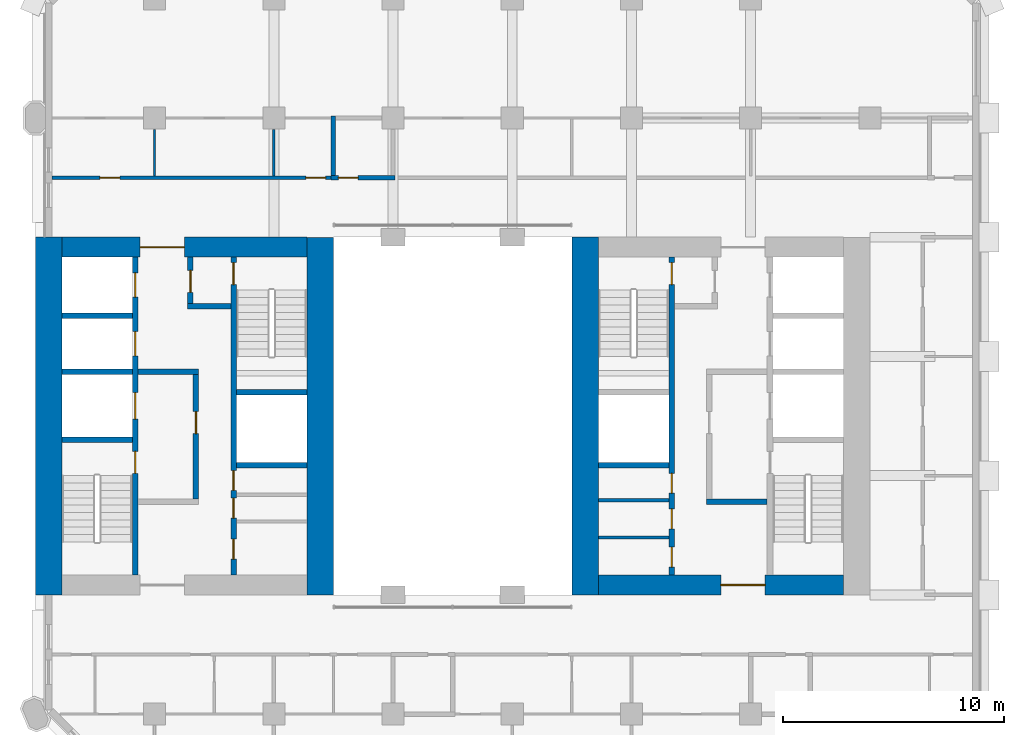
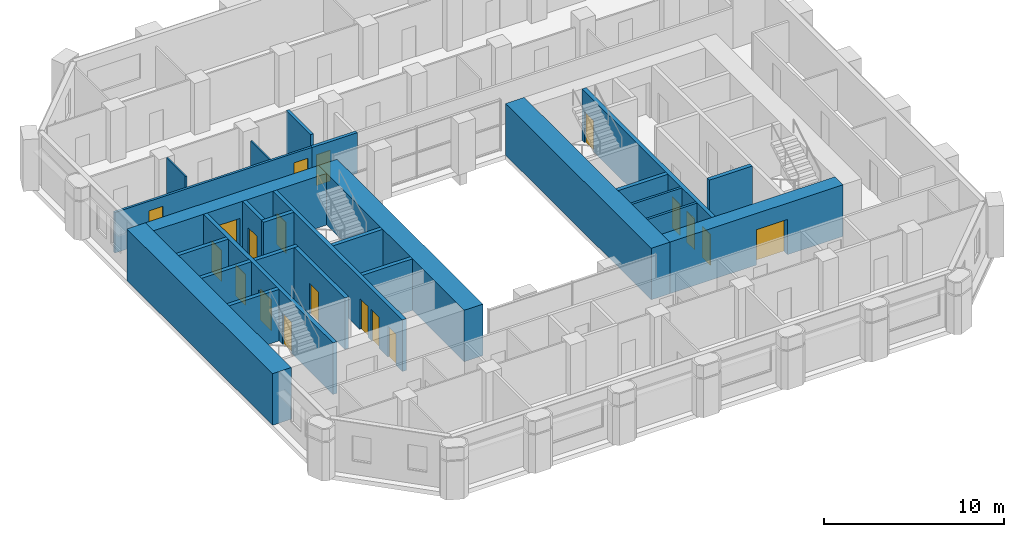
# One storey, part 5 of 10: 26 walls, 19 doors, 19 openings.
"""IFC4 building model written with IfcOpenShell, lengths in metres."""

from ifc_helpers import new_model, si_unit, direction, frame, frame_2d, origin, place, context, subcontext, project, spatial, rectangle, extrude, material, layer, layer_set, type_object, element, fill, save


model = new_model("IFC4")

# Units and contexts
model_context = context("Model", 3, precision=1e-05, world=origin(), true_north=direction((0.0, 1.0)))
body_context = subcontext(model_context, "Body", "Model", "MODEL_VIEW")
ifc_project = project(units=[si_unit("LENGTHUNIT", "METRE"), si_unit("AREAUNIT", "SQUARE_METRE"), si_unit("VOLUMEUNIT", "CUBIC_METRE"), si_unit("PLANEANGLEUNIT", "RADIAN"), si_unit("MASSUNIT", "GRAM", prefix="KILO")], contexts=[model_context])

# Site, building, storey
site_placement = place(None, origin())
site = spatial("IfcSite", under=ifc_project, at=site_placement, CompositionType="ELEMENT")
building_placement = place(site_placement, origin())
building = spatial("IfcBuilding", under=site, at=building_placement, Name="Tabaq Tower and Sports Hall", CompositionType="ELEMENT")
storey_placement = place(building_placement, frame((0.0, 0.0, 68.800048828125)))
storey = spatial("IfcBuildingStorey", under=building, at=storey_placement, Name="L15", CompositionType="ELEMENT", Elevation=68.800048828125)

# Walls
ifc_material_1 = material(Name="Blockwork", Category="masonry")
ifc_layer_1 = layer(ifc_material_1, 0.14990234375)
ifc_layer_set_1 = layer_set([ifc_layer_1], Name="Core room partition 150 Blockwork")
wall_type_1 = type_object("IfcWallType", Name="Core room partition 150 Blockwork", PredefinedType="PARTITIONING", material=ifc_layer_set_1)
for number, where, z_axis, x_axis, name in (
    (1, (30.89990234375, 18.797119140625, 0.0), (0.0, 0.0, 1.0), (1.0, 0.0, 0.0), "Core room partition E L15"),
    (2, (30.89990234375, 20.493896484375, 0.0), (0.0, 0.0, 1.0), (1.0, 0.0, 0.0), "Core room partition E L15"),
):
    element("IfcWall", number, at=place(storey_placement, frame(where, z_axis=z_axis, x_axis=x_axis)), inside=storey, type_object=wall_type_1, Name=name, PredefinedType="PARTITIONING", context=body_context, shape_type="SweptSolid", body=[
        extrude(rectangle(XDim=3.2001953125, YDim=0.14990234375, at=frame_2d((1.60009765625, 0.0))), origin(), (0.0, 0.0, 1.0), 3.5),
    ])
ifc_material_2 = material(Name="Concrete C60/75", Category="concrete")
ifc_layer_2 = layer(ifc_material_2, 1.199951171875)
ifc_layer_set_2 = layer_set([ifc_layer_2], Name="Core wall 1200 Concrete C60/75")
wall_type_2 = type_object("IfcWallType", Name="Core wall 1200 Concrete C60/75", PredefinedType="SOLIDWALL", material=ifc_layer_set_2)
for number, where, z_axis, x_axis, name in (
    (3, (6.0, 16.199951171875, 0.0), (0.0, 0.0, 1.0), (0.0, 1.0, 0.0), "Core wall W L15"),
    (4, (18.300048828125, 32.39990234375, 0.0), (0.0, 0.0, 1.0), (0.0, -1.0, 0.0), "Core wall W L15"),
    (5, (30.300048828125, 16.199951171875, 0.0), (0.0, 0.0, 1.0), (0.0, 1.0, 0.0), "Core wall E L15"),
):
    element("IfcWall", number, at=place(storey_placement, frame(where, z_axis=z_axis, x_axis=x_axis)), inside=storey, type_object=wall_type_2, Name=name, PredefinedType="SOLIDWALL", context=body_context, shape_type="SweptSolid", body=[
        extrude(rectangle(XDim=16.199951171875, YDim=1.199951171875, at=frame_2d((8.10009765625, 0.0))), origin(), (0.0, 0.0, 1.0), 3.5),
    ])

# Wall, opening, door
ifc_material_3 = material(Name="Concrete C60/75", Category="concrete")
ifc_layer_3 = layer(ifc_material_3, 0.89990234375)
ifc_layer_set_3 = layer_set([ifc_layer_3], Name="Core wall 900 Concrete C60/75")
wall_type_3 = type_object("IfcWallType", Name="Core wall 900 Concrete C60/75", PredefinedType="SOLIDWALL", material=ifc_layer_set_3)
wall_1_placement = place(storey_placement, frame((6.60009765625, 31.949951171875, 0.0), z_axis=(0.0, 0.0, 1.0), x_axis=(1.0, 0.0, 0.0)))
wall_1 = element("IfcWall", 6, at=wall_1_placement, inside=storey, type_object=wall_type_3, Name="Core wall W L15", PredefinedType="SOLIDWALL", context=body_context, shape_type="SweptSolid", body=[
    extrude(rectangle(XDim=11.099853515625, YDim=0.89990234375, at=frame_2d((5.5498046875, 0.0))), origin(), (0.0, 0.0, 1.0), 3.5),
])
opening_1_placement = place(wall_1_placement, frame((3.550048828125, 0.0, 0.0)))
opening_1 = element("IfcOpeningElement", 7, at=opening_1_placement, cuts=wall_1, Name="Opening PD-WL15-02", PredefinedType="OPENING", context=body_context, shape_type="SweptSolid", body=[
    extrude(rectangle(XDim=2.0, YDim=2.39990234375, at=frame_2d((1.0, 1.199951171875))), frame((0.0, 0.449951171875, 0.0), z_axis=(0.0, -1.0, 0.0), x_axis=(1.0, 0.0, 0.0)), (0.0, 0.0, 1.0), 0.89990234375),
])
ifc_material_4 = material(Name="Steel fire door", Category="steel")
door_type_1 = type_object("IfcDoorType", Name="Core entrance door 2000", OperationType="DOUBLE_DOOR_SINGLE_SWING", PredefinedType="DOOR", material=ifc_material_4)
door_1_placement = place(opening_1_placement, origin())
door_1 = element("IfcDoor", 8, at=door_1_placement, inside=storey, type_object=door_type_1, Name="Core entrance north W L15", OperationType="DOUBLE_DOOR_SINGLE_SWING", OverallHeight=2.39990234375, OverallWidth=2.0, PredefinedType="DOOR", context=body_context, shape_type="SweptSolid", body=[
    extrude(rectangle(XDim=2.0, YDim=2.39990234375, at=frame_2d((1.0, 1.199951171875))), frame((0.0, 0.02490234375, 0.0), z_axis=(0.0, -1.0, 0.0), x_axis=(1.0, 0.0, 0.0)), (0.0, 0.0, 1.0), 0.050048828125),
])
fill(opening_1, door_1)

wall_2_placement = place(storey_placement, frame((42.0, 16.64990234375, 0.0), z_axis=(0.0, 0.0, 1.0), x_axis=(-1.0, 0.0, 0.0)))
wall_2 = element("IfcWall", 9, at=wall_2_placement, inside=storey, type_object=wall_type_3, Name="Core wall E L15", PredefinedType="SOLIDWALL", context=body_context, shape_type="SweptSolid", body=[
    extrude(rectangle(XDim=11.10009765625, YDim=0.89990234375, at=frame_2d((5.550048828125, 0.0))), origin(), (0.0, 0.0, 1.0), 3.5),
])
opening_2_placement = place(wall_2_placement, frame((3.550048828125, 0.0, 0.0)))
opening_2 = element("IfcOpeningElement", 10, at=opening_2_placement, cuts=wall_2, Name="Opening PD-EL15-01", PredefinedType="OPENING", context=body_context, shape_type="SweptSolid", body=[
    extrude(rectangle(XDim=2.0, YDim=2.39990234375, at=frame_2d((1.0, 1.199951171875))), frame((0.0, 0.449951171875, 0.0), z_axis=(0.0, -1.0, 0.0), x_axis=(1.0, 0.0, 0.0)), (0.0, 0.0, 1.0), 0.89990234375),
])
door_2_placement = place(opening_2_placement, origin())
door_2 = element("IfcDoor", 11, at=door_2_placement, inside=storey, type_object=door_type_1, Name="Core entrance south E L15", OperationType="DOUBLE_DOOR_SINGLE_SWING", OverallHeight=2.39990234375, OverallWidth=2.0, PredefinedType="DOOR", context=body_context, shape_type="SweptSolid", body=[
    extrude(rectangle(XDim=2.0, YDim=2.39990234375, at=frame_2d((1.0, 1.199951171875))), frame((0.0, 0.02490234375, 0.0), z_axis=(0.0, -1.0, 0.0), x_axis=(1.0, 0.0, 0.0)), (0.0, 0.0, 1.0), 0.050048828125),
])
fill(opening_2, door_2)

ifc_material_5 = material(Name="Blockwork", Category="masonry")
ifc_layer_4 = layer(ifc_material_5, 0.199951171875)
ifc_layer_set_4 = layer_set([ifc_layer_4], Name="Fire compartment wall 200 Blockwork")
wall_type_4 = type_object("IfcWallType", Name="Fire compartment wall 200 Blockwork", PredefinedType="PARTITIONING", material=ifc_layer_set_4)
wall_3_placement = place(storey_placement, frame((18.800048828125, 35.10009765625, 0.0), z_axis=(0.0, 0.0, 1.0), x_axis=(1.0, 0.0, 0.0)))
wall_3 = element("IfcWall", 12, at=wall_3_placement, inside=storey, type_object=wall_type_4, Name="Compartment wall L15", PredefinedType="PARTITIONING", context=body_context, shape_type="SweptSolid", body=[
    extrude(rectangle(XDim=2.89990234375, YDim=0.199951171875, at=frame_2d((1.449951171875, 0.0))), origin(), (0.0, 0.0, 1.0), 2.75),
])
opening_3_placement = place(wall_3_placement, frame((0.320068359375, 0.0, 0.0)))
opening_3 = element("IfcOpeningElement", 13, at=opening_3_placement, cuts=wall_3, Name="Opening L15-002", PredefinedType="OPENING", context=body_context, shape_type="SweptSolid", body=[
    extrude(rectangle(XDim=0.89990234375, YDim=2.10009765625, at=frame_2d((0.449951171875, 1.050048828125))), frame((0.0, 0.10009765625, 0.0), z_axis=(0.0, -1.0, 0.0), x_axis=(1.0, 0.0, 0.0)), (0.0, 0.0, 1.0), 0.199951171875),
])
ifc_material_6 = material(Name="Steel fire door", Category="steel")
door_type_2 = type_object("IfcDoorType", Name="Plant room door 900 left hand", OperationType="SINGLE_SWING_LEFT", PredefinedType="DOOR", material=ifc_material_6)
door_3_placement = place(opening_3_placement, origin())
door_3 = element("IfcDoor", 14, at=door_3_placement, inside=storey, type_object=door_type_2, Name="Plant room door L15-002", OperationType="SINGLE_SWING_LEFT", OverallHeight=2.10009765625, OverallWidth=0.89990234375, PredefinedType="DOOR", context=body_context, shape_type="SweptSolid", body=[
    extrude(rectangle(XDim=0.89990234375, YDim=2.10009765625, at=frame_2d((0.449951171875, 1.050048828125))), frame((0.0, 0.02490234375, 0.0), z_axis=(0.0, -1.0, 0.0), x_axis=(1.0, 0.0, 0.0)), (0.0, 0.0, 1.0), 0.050048828125),
])
fill(opening_3, door_3)

# Walls
wall_4_placement = place(storey_placement, frame((18.89990234375, 35.199951171875, 0.0), z_axis=(0.0, 0.0, 1.0), x_axis=(0.0, 1.0, 0.0)))
element("IfcWall", 15, at=wall_4_placement, inside=storey, type_object=wall_type_4, Name="Compartment wall L15", PredefinedType="PARTITIONING", context=body_context, shape_type="SweptSolid", body=[
    extrude(rectangle(XDim=2.699951171875, YDim=0.199951171875, at=frame_2d((1.35009765625, 0.0))), origin(), (0.0, 0.0, 1.0), 3.5),
])
ifc_material_7 = material(Name="Gypsum board on steel studs", Category="steel")
ifc_layer_5 = layer(ifc_material_7, 0.10009765625)
ifc_layer_set_5 = layer_set([ifc_layer_5], Name="Partition 100 Gypsum board")
wall_type_5 = type_object("IfcWallType", Name="Partition 100 Gypsum board", PredefinedType="PARTITIONING", material=ifc_layer_set_5)
wall_5_placement = place(storey_placement, frame((10.800048828125, 35.175048828125, 0.0), z_axis=(0.0, 0.0, 1.0), x_axis=(0.0, 1.0, 0.0)))
element("IfcWall", 16, at=wall_5_placement, inside=storey, type_object=wall_type_5, Name="Partition wall L15", PredefinedType="PARTITIONING", context=body_context, shape_type="SweptSolid", body=[
    extrude(rectangle(XDim=2.10498046875, YDim=0.10009765625, at=frame_2d((1.052490234375, 0.0))), origin(), (0.0, 0.0, 1.0), 3.5),
])
wall_6_placement = place(storey_placement, frame((16.199951171875, 35.175048828125, 0.0), z_axis=(0.0, 0.0, 1.0), x_axis=(0.0, 1.0, 0.0)))
element("IfcWall", 17, at=wall_6_placement, inside=storey, type_object=wall_type_5, Name="Partition wall L15", PredefinedType="PARTITIONING", context=body_context, shape_type="SweptSolid", body=[
    extrude(rectangle(XDim=2.10498046875, YDim=0.10009765625, at=frame_2d((1.052490234375, 0.0))), origin(), (0.0, 0.0, 1.0), 2.75),
])

# Wall, openings, doors
ifc_material_8 = material(Name="Blockwork", Category="masonry")
ifc_layer_6 = layer(ifc_material_8, 0.14990234375)
ifc_layer_set_6 = layer_set([ifc_layer_6], Name="Separating wall 150 Blockwork")
wall_type_6 = type_object("IfcWallType", Name="Separating wall 150 Blockwork", PredefinedType="PARTITIONING", material=ifc_layer_set_6)
wall_7_placement = place(storey_placement, frame((6.15087890625, 35.10009765625, 0.0), z_axis=(0.0, 0.0, 1.0), x_axis=(1.0, 0.0, 0.0)))
wall_7 = element("IfcWall", 18, at=wall_7_placement, inside=storey, type_object=wall_type_6, Name="Separating wall L15", PredefinedType="PARTITIONING", context=body_context, shape_type="SweptSolid", body=[
    extrude(rectangle(XDim=12.649169921875, YDim=0.14990234375, at=frame_2d((6.32470703125, 0.0))), origin(), (0.0, 0.0, 1.0), 2.75),
])
opening_4_placement = place(wall_7_placement, frame((11.4990234375, 0.0, 0.0)))
opening_4 = element("IfcOpeningElement", 19, at=opening_4_placement, cuts=wall_7, Name="Opening L15-001", PredefinedType="OPENING", context=body_context, shape_type="SweptSolid", body=[
    extrude(rectangle(XDim=0.89990234375, YDim=2.10009765625, at=frame_2d((0.449951171875, 1.050048828125))), frame((0.0, 0.074951171875, 0.0), z_axis=(0.0, -1.0, 0.0), x_axis=(1.0, 0.0, 0.0)), (0.0, 0.0, 1.0), 0.14990234375),
])
opening_5_placement = place(wall_7_placement, frame((2.174072265625, 0.0, 0.0)))
opening_5 = element("IfcOpeningElement", 20, at=opening_5_placement, cuts=wall_7, Name="Opening L15-028", PredefinedType="OPENING", context=body_context, shape_type="SweptSolid", body=[
    extrude(rectangle(XDim=0.89990234375, YDim=2.10009765625, at=frame_2d((0.449951171875, 1.050048828125))), frame((0.0, 0.074951171875, 0.0), z_axis=(0.0, -1.0, 0.0), x_axis=(1.0, 0.0, 0.0)), (0.0, 0.0, 1.0), 0.14990234375),
])
ifc_material_9 = material(Name="Steel fire door", Category="steel")
door_type_3 = type_object("IfcDoorType", Name="Entrance door 900 left hand", OperationType="SINGLE_SWING_LEFT", PredefinedType="DOOR", material=ifc_material_9)
door_4_placement = place(opening_4_placement, origin())
door_4 = element("IfcDoor", 21, at=door_4_placement, inside=storey, type_object=door_type_3, Name="Entrance door L15-001", OperationType="SINGLE_SWING_LEFT", OverallHeight=2.10009765625, OverallWidth=0.89990234375, PredefinedType="DOOR", context=body_context, shape_type="SweptSolid", body=[
    extrude(rectangle(XDim=0.89990234375, YDim=2.10009765625, at=frame_2d((0.449951171875, 1.050048828125))), frame((0.0, 0.02490234375, 0.0), z_axis=(0.0, -1.0, 0.0), x_axis=(1.0, 0.0, 0.0)), (0.0, 0.0, 1.0), 0.050048828125),
])
fill(opening_4, door_4)
door_5_placement = place(opening_5_placement, origin())
door_5 = element("IfcDoor", 22, at=door_5_placement, inside=storey, type_object=door_type_3, Name="Entrance door L15-028", OperationType="SINGLE_SWING_LEFT", OverallHeight=2.10009765625, OverallWidth=0.89990234375, PredefinedType="DOOR", context=body_context, shape_type="SweptSolid", body=[
    extrude(rectangle(XDim=0.89990234375, YDim=2.10009765625, at=frame_2d((0.449951171875, 1.050048828125))), frame((0.0, 0.02490234375, 0.0), z_axis=(0.0, -1.0, 0.0), x_axis=(1.0, 0.0, 0.0)), (0.0, 0.0, 1.0), 0.050048828125),
])
fill(opening_5, door_5)

ifc_material_10 = material(Name="Concrete C40/50", Category="concrete")
ifc_layer_7 = layer(ifc_material_10, 0.25)
ifc_layer_set_7 = layer_set([ifc_layer_7], Name="Shaft and stair wall 250 Concrete C40/50")
wall_type_7 = type_object("IfcWallType", Name="Shaft and stair wall 250 Concrete C40/50", PredefinedType="SOLIDWALL", material=ifc_layer_set_7)
wall_8_placement = place(storey_placement, frame((9.925048828125, 17.10009765625, 0.0), z_axis=(0.0, 0.0, 1.0), x_axis=(0.0, 1.0, 0.0)))
wall_8 = element("IfcWall", 23, at=wall_8_placement, inside=storey, type_object=wall_type_7, Name="Shaft wall W L15", PredefinedType="SOLIDWALL", context=body_context, shape_type="SweptSolid", body=[
    extrude(rectangle(XDim=14.39990234375, YDim=0.25, at=frame_2d((7.199951171875, 0.0))), origin(), (0.0, 0.0, 1.0), 3.5),
])
opening_6_placement = place(wall_8_placement, frame((4.60009765625, 0.0, 0.0)))
opening_6 = element("IfcOpeningElement", 24, at=opening_6_placement, cuts=wall_8, Name="Opening SD-WL15-03", PredefinedType="OPENING", context=body_context, shape_type="SweptSolid", body=[
    extrude(rectangle(XDim=1.0, YDim=2.10009765625, at=frame_2d((0.5, 1.050048828125))), frame((0.0, 0.125, 0.0), z_axis=(0.0, -1.0, 0.0), x_axis=(1.0, 0.0, 0.0)), (0.0, 0.0, 1.0), 0.25),
])
opening_7_placement = place(wall_8_placement, frame((7.0625, 0.0, 0.0)))
opening_7 = element("IfcOpeningElement", 25, at=opening_7_placement, cuts=wall_8, Name="Opening LD-FF1-L15", PredefinedType="OPENING", context=body_context, shape_type="SweptSolid", body=[
    extrude(rectangle(XDim=1.199951171875, YDim=2.10009765625, at=frame_2d((0.60009765625, 1.050048828125))), frame((0.0, 0.125, 0.0), z_axis=(0.0, -1.0, 0.0), x_axis=(1.0, 0.0, 0.0)), (0.0, 0.0, 1.0), 0.25),
])
opening_8_placement = place(wall_8_placement, frame((9.925048828125, 0.0, 0.0)))
opening_8 = element("IfcOpeningElement", 26, at=opening_8_placement, cuts=wall_8, Name="Opening LD-LR1-L15", PredefinedType="OPENING", context=body_context, shape_type="SweptSolid", body=[
    extrude(rectangle(XDim=1.10009765625, YDim=2.10009765625, at=frame_2d((0.550048828125, 1.050048828125))), frame((0.0, 0.125, 0.0), z_axis=(0.0, -1.0, 0.0), x_axis=(1.0, 0.0, 0.0)), (0.0, 0.0, 1.0), 0.25),
])
opening_9_placement = place(wall_8_placement, frame((12.58740234375, 0.0, 0.0)))
opening_9 = element("IfcOpeningElement", 27, at=opening_9_placement, cuts=wall_8, Name="Opening LD-LR2-L15", PredefinedType="OPENING", context=body_context, shape_type="SweptSolid", body=[
    extrude(rectangle(XDim=1.10009765625, YDim=2.10009765625, at=frame_2d((0.550048828125, 1.050048828125))), frame((0.0, 0.125, 0.0), z_axis=(0.0, -1.0, 0.0), x_axis=(1.0, 0.0, 0.0)), (0.0, 0.0, 1.0), 0.25),
])
ifc_material_11 = material(Name="Stainless steel", Category="steel")
door_type_4 = type_object("IfcDoorType", Name="Lift landing door 1100", OperationType="DOUBLE_DOOR_SLIDING", PredefinedType="DOOR", material=ifc_material_11)
door_6_placement = place(opening_8_placement, origin())
door_6 = element("IfcDoor", 28, at=door_6_placement, inside=storey, type_object=door_type_4, Name="Lift landing door LR1 W L15", OperationType="DOUBLE_DOOR_SLIDING", OverallHeight=2.10009765625, OverallWidth=1.10009765625, PredefinedType="DOOR", context=body_context, shape_type="SweptSolid", body=[
    extrude(rectangle(XDim=1.10009765625, YDim=2.10009765625, at=frame_2d((0.550048828125, 1.050048828125))), frame((0.0, 0.02490234375, 0.0), z_axis=(0.0, -1.0, 0.0), x_axis=(1.0, 0.0, 0.0)), (0.0, 0.0, 1.0), 0.050048828125),
])
fill(opening_8, door_6)
door_7_placement = place(opening_9_placement, origin())
door_7 = element("IfcDoor", 29, at=door_7_placement, inside=storey, type_object=door_type_4, Name="Lift landing door LR2 W L15", OperationType="DOUBLE_DOOR_SLIDING", OverallHeight=2.10009765625, OverallWidth=1.10009765625, PredefinedType="DOOR", context=body_context, shape_type="SweptSolid", body=[
    extrude(rectangle(XDim=1.10009765625, YDim=2.10009765625, at=frame_2d((0.550048828125, 1.050048828125))), frame((0.0, 0.02490234375, 0.0), z_axis=(0.0, -1.0, 0.0), x_axis=(1.0, 0.0, 0.0)), (0.0, 0.0, 1.0), 0.050048828125),
])
fill(opening_9, door_7)
ifc_material_12 = material(Name="Stainless steel", Category="steel")
door_type_5 = type_object("IfcDoorType", Name="Lift landing door 1200", OperationType="DOUBLE_DOOR_SLIDING", PredefinedType="DOOR", material=ifc_material_12)
door_8_placement = place(opening_7_placement, origin())
door_8 = element("IfcDoor", 30, at=door_8_placement, inside=storey, type_object=door_type_5, Name="Lift landing door FF1 W L15", OperationType="DOUBLE_DOOR_SLIDING", OverallHeight=2.10009765625, OverallWidth=1.199951171875, PredefinedType="DOOR", context=body_context, shape_type="SweptSolid", body=[
    extrude(rectangle(XDim=1.199951171875, YDim=2.10009765625, at=frame_2d((0.60009765625, 1.050048828125))), frame((0.0, 0.02490234375, 0.0), z_axis=(0.0, -1.0, 0.0), x_axis=(1.0, 0.0, 0.0)), (0.0, 0.0, 1.0), 0.050048828125),
])
fill(opening_7, door_8)
ifc_material_13 = material(Name="Steel fire door", Category="steel")
door_type_6 = type_object("IfcDoorType", Name="Stair door 1000", OperationType="SINGLE_SWING_LEFT", PredefinedType="DOOR", material=ifc_material_13)
door_9_placement = place(opening_6_placement, origin())
door_9 = element("IfcDoor", 31, at=door_9_placement, inside=storey, type_object=door_type_6, Name="Stair door ST1 W L15", OperationType="SINGLE_SWING_LEFT", OverallHeight=2.10009765625, OverallWidth=1.0, PredefinedType="DOOR", context=body_context, shape_type="SweptSolid", body=[
    extrude(rectangle(XDim=1.0, YDim=2.10009765625, at=frame_2d((0.5, 1.050048828125))), frame((0.0, 0.02490234375, 0.0), z_axis=(0.0, -1.0, 0.0), x_axis=(1.0, 0.0, 0.0)), (0.0, 0.0, 1.0), 0.050048828125),
])
fill(opening_6, door_9)

wall_9_placement = place(storey_placement, frame((14.375, 17.10009765625, 0.0), z_axis=(0.0, 0.0, 1.0), x_axis=(0.0, 1.0, 0.0)))
wall_9 = element("IfcWall", 32, at=wall_9_placement, inside=storey, type_object=wall_type_7, Name="Shaft wall W L15", PredefinedType="SOLIDWALL", context=body_context, shape_type="SweptSolid", body=[
    extrude(rectangle(XDim=14.39990234375, YDim=0.25, at=frame_2d((7.199951171875, 0.0))), origin(), (0.0, 0.0, 1.0), 3.5),
])
opening_10_placement = place(wall_9_placement, frame((13.14990234375, 0.0, 0.0)))
opening_10 = element("IfcOpeningElement", 33, at=opening_10_placement, cuts=wall_9, Name="Opening SD-WL15-05", PredefinedType="OPENING", context=body_context, shape_type="SweptSolid", body=[
    extrude(rectangle(XDim=1.0, YDim=2.10009765625, at=frame_2d((0.5, 1.050048828125))), frame((0.0, 0.125, 0.0), z_axis=(0.0, -1.0, 0.0), x_axis=(1.0, 0.0, 0.0)), (0.0, 0.0, 1.0), 0.25),
])
opening_11_placement = place(wall_9_placement, frame((0.72509765625, 0.0, 0.0)))
opening_11 = element("IfcOpeningElement", 34, at=opening_11_placement, cuts=wall_9, Name="Opening RD-WL15-10", PredefinedType="OPENING", context=body_context, shape_type="SweptSolid", body=[
    extrude(rectangle(XDim=0.89990234375, YDim=2.10009765625, at=frame_2d((0.449951171875, 1.050048828125))), frame((0.0, 0.125, 0.0), z_axis=(0.0, -1.0, 0.0), x_axis=(1.0, 0.0, 0.0)), (0.0, 0.0, 1.0), 0.25),
])
opening_12_placement = place(wall_9_placement, frame((2.5810546875, 0.0, 0.0)))
opening_12 = element("IfcOpeningElement", 35, at=opening_12_placement, cuts=wall_9, Name="Opening RD-WL15-11", PredefinedType="OPENING", context=body_context, shape_type="SweptSolid", body=[
    extrude(rectangle(XDim=0.89990234375, YDim=2.10009765625, at=frame_2d((0.449951171875, 1.050048828125))), frame((0.0, 0.125, 0.0), z_axis=(0.0, -1.0, 0.0), x_axis=(1.0, 0.0, 0.0)), (0.0, 0.0, 1.0), 0.25),
])
opening_13_placement = place(wall_9_placement, frame((3.8310546875, 0.0, 0.0)))
opening_13 = element("IfcOpeningElement", 36, at=opening_13_placement, cuts=wall_9, Name="Opening RD-WL15-12", PredefinedType="OPENING", context=body_context, shape_type="SweptSolid", body=[
    extrude(rectangle(XDim=0.89990234375, YDim=2.10009765625, at=frame_2d((0.449951171875, 1.050048828125))), frame((0.0, 0.125, 0.0), z_axis=(0.0, -1.0, 0.0), x_axis=(1.0, 0.0, 0.0)), (0.0, 0.0, 1.0), 0.25),
])
ifc_material_14 = material(Name="Steel fire door", Category="steel")
door_type_7 = type_object("IfcDoorType", Name="Core room door 900", OperationType="SINGLE_SWING_LEFT", PredefinedType="DOOR", material=ifc_material_14)
door_10_placement = place(opening_11_placement, origin())
door_10 = element("IfcDoor", 37, at=door_10_placement, inside=storey, type_object=door_type_7, Name="Door Unisex WC W L15", OperationType="SINGLE_SWING_LEFT", OverallHeight=2.10009765625, OverallWidth=0.89990234375, PredefinedType="DOOR", context=body_context, shape_type="SweptSolid", body=[
    extrude(rectangle(XDim=0.89990234375, YDim=2.10009765625, at=frame_2d((0.449951171875, 1.050048828125))), frame((0.0, 0.02490234375, 0.0), z_axis=(0.0, -1.0, 0.0), x_axis=(1.0, 0.0, 0.0)), (0.0, 0.0, 1.0), 0.050048828125),
])
fill(opening_11, door_10)
door_11_placement = place(opening_12_placement, origin())
door_11 = element("IfcDoor", 38, at=door_11_placement, inside=storey, type_object=door_type_7, Name="Door Cleaner's Store W L15", OperationType="SINGLE_SWING_LEFT", OverallHeight=2.10009765625, OverallWidth=0.89990234375, PredefinedType="DOOR", context=body_context, shape_type="SweptSolid", body=[
    extrude(rectangle(XDim=0.89990234375, YDim=2.10009765625, at=frame_2d((0.449951171875, 1.050048828125))), frame((0.0, 0.02490234375, 0.0), z_axis=(0.0, -1.0, 0.0), x_axis=(1.0, 0.0, 0.0)), (0.0, 0.0, 1.0), 0.050048828125),
])
fill(opening_12, door_11)
door_12_placement = place(opening_13_placement, origin())
door_12 = element("IfcDoor", 39, at=door_12_placement, inside=storey, type_object=door_type_7, Name="Door Accessible WC W L15", OperationType="SINGLE_SWING_LEFT", OverallHeight=2.10009765625, OverallWidth=0.89990234375, PredefinedType="DOOR", context=body_context, shape_type="SweptSolid", body=[
    extrude(rectangle(XDim=0.89990234375, YDim=2.10009765625, at=frame_2d((0.449951171875, 1.050048828125))), frame((0.0, 0.02490234375, 0.0), z_axis=(0.0, -1.0, 0.0), x_axis=(1.0, 0.0, 0.0)), (0.0, 0.0, 1.0), 0.050048828125),
])
fill(opening_13, door_12)
door_13_placement = place(opening_10_placement, origin())
door_13 = element("IfcDoor", 40, at=door_13_placement, inside=storey, type_object=door_type_6, Name="Stair door ST2 W L15", OperationType="SINGLE_SWING_LEFT", OverallHeight=2.10009765625, OverallWidth=1.0, PredefinedType="DOOR", context=body_context, shape_type="SweptSolid", body=[
    extrude(rectangle(XDim=1.0, YDim=2.10009765625, at=frame_2d((0.5, 1.050048828125))), frame((0.0, 0.02490234375, 0.0), z_axis=(0.0, -1.0, 0.0), x_axis=(1.0, 0.0, 0.0)), (0.0, 0.0, 1.0), 0.050048828125),
])
fill(opening_10, door_13)

# Walls
for number, where, z_axis, x_axis, name in (
    (41, (6.60009765625, 23.22509765625, 0.0), (0.0, 0.0, 1.0), (1.0, 0.0, 0.0), "Stair enclosure wall W L15"),
    (42, (14.5, 25.375, 0.0), (0.0, 0.0, 1.0), (1.0, 0.0, 0.0), "Stair enclosure wall W L15"),
    (43, (14.5, 22.074951171875, 0.0), (0.0, 0.0, 1.0), (1.0, 0.0, 0.0), "Shaft wall W L15"),
    (44, (6.60009765625, 26.300048828125, 0.0), (0.0, 0.0, 1.0), (1.0, 0.0, 0.0), "Shaft wall W L15"),
):
    element("IfcWall", number, at=place(storey_placement, frame(where, z_axis=z_axis, x_axis=x_axis)), inside=storey, type_object=wall_type_7, Name=name, PredefinedType="SOLIDWALL", context=body_context, shape_type="SweptSolid", body=[
        extrude(rectangle(XDim=3.199951171875, YDim=0.25, at=frame_2d((1.60009765625, 0.0))), origin(), (0.0, 0.0, 1.0), 3.5),
    ])
wall_10_placement = place(storey_placement, frame((10.050048828125, 26.300048828125, 0.0), z_axis=(0.0, 0.0, 1.0), x_axis=(1.0, 0.0, 0.0)))
element("IfcWall", 45, at=wall_10_placement, inside=storey, type_object=wall_type_7, Name="Fire-fighting lobby wall W L15", PredefinedType="SOLIDWALL", context=body_context, shape_type="SweptSolid", body=[
    extrude(rectangle(XDim=2.75, YDim=0.25, at=frame_2d((1.375, 0.0))), origin(), (0.0, 0.0, 1.0), 3.5),
])

# Wall, opening, door
wall_11_placement = place(storey_placement, frame((12.425048828125, 29.39990234375, 0.0), z_axis=(0.0, 0.0, 1.0), x_axis=(0.0, 1.0, 0.0)))
wall_11 = element("IfcWall", 46, at=wall_11_placement, inside=storey, type_object=wall_type_7, Name="Fire-fighting lobby wall W L15", PredefinedType="SOLIDWALL", context=body_context, shape_type="SweptSolid", body=[
    extrude(rectangle(XDim=2.10009765625, YDim=0.25, at=frame_2d((1.050048828125, 0.0))), origin(), (0.0, 0.0, 1.0), 3.5),
])
opening_14_placement = place(wall_11_placement, frame((0.5, 0.0, 0.0)))
opening_14 = element("IfcOpeningElement", 47, at=opening_14_placement, cuts=wall_11, Name="Opening FD-WL15-06", PredefinedType="OPENING", context=body_context, shape_type="SweptSolid", body=[
    extrude(rectangle(XDim=1.0, YDim=2.10009765625, at=frame_2d((0.5, 1.050048828125))), frame((0.0, 0.125, 0.0), z_axis=(0.0, -1.0, 0.0), x_axis=(1.0, 0.0, 0.0)), (0.0, 0.0, 1.0), 0.25),
])
ifc_material_15 = material(Name="Steel fire door", Category="steel")
door_type_8 = type_object("IfcDoorType", Name="Fire-fighting lobby door 1000", OperationType="SINGLE_SWING_LEFT", PredefinedType="DOOR", material=ifc_material_15)
door_14_placement = place(opening_14_placement, origin())
door_14 = element("IfcDoor", 48, at=door_14_placement, inside=storey, type_object=door_type_8, Name="Stair lobby door W L15", OperationType="SINGLE_SWING_LEFT", OverallHeight=2.10009765625, OverallWidth=1.0, PredefinedType="DOOR", context=body_context, shape_type="SweptSolid", body=[
    extrude(rectangle(XDim=1.0, YDim=2.10009765625, at=frame_2d((0.5, 1.050048828125))), frame((0.0, 0.02490234375, 0.0), z_axis=(0.0, -1.0, 0.0), x_axis=(1.0, 0.0, 0.0)), (0.0, 0.0, 1.0), 0.050048828125),
])
fill(opening_14, door_14)

# Wall
wall_12_placement = place(storey_placement, frame((12.300048828125, 29.27490234375, 0.0), z_axis=(0.0, 0.0, 1.0), x_axis=(1.0, 0.0, 0.0)))
element("IfcWall", 49, at=wall_12_placement, inside=storey, type_object=wall_type_7, Name="Fire-fighting lobby wall W L15", PredefinedType="SOLIDWALL", context=body_context, shape_type="SweptSolid", body=[
    extrude(rectangle(XDim=1.949951171875, YDim=0.25, at=frame_2d((0.97509765625, 0.0))), origin(), (0.0, 0.0, 1.0), 3.5),
])

# Wall, opening, door
wall_13_placement = place(storey_placement, frame((12.675048828125, 20.550048828125, 0.0), z_axis=(0.0, 0.0, 1.0), x_axis=(0.0, 1.0, 0.0)))
wall_13 = element("IfcWall", 50, at=wall_13_placement, inside=storey, type_object=wall_type_7, Name="Fire-fighting lobby wall W L15", PredefinedType="SOLIDWALL", context=body_context, shape_type="SweptSolid", body=[
    extrude(rectangle(XDim=5.625, YDim=0.25, at=frame_2d((2.8125, 0.0))), origin(), (0.0, 0.0, 1.0), 3.5),
])
opening_15_placement = place(wall_13_placement, frame((2.949951171875, 0.0, 0.0)))
opening_15 = element("IfcOpeningElement", 51, at=opening_15_placement, cuts=wall_13, Name="Opening FD-WL15-04", PredefinedType="OPENING", context=body_context, shape_type="SweptSolid", body=[
    extrude(rectangle(XDim=1.0, YDim=2.10009765625, at=frame_2d((0.5, 1.050048828125))), frame((0.0, 0.125, 0.0), z_axis=(0.0, -1.0, 0.0), x_axis=(1.0, 0.0, 0.0)), (0.0, 0.0, 1.0), 0.25),
])
door_15_placement = place(opening_15_placement, origin())
door_15 = element("IfcDoor", 52, at=door_15_placement, inside=storey, type_object=door_type_8, Name="Fire-fighting lobby door W L15", OperationType="SINGLE_SWING_LEFT", OverallHeight=2.10009765625, OverallWidth=1.0, PredefinedType="DOOR", context=body_context, shape_type="SweptSolid", body=[
    extrude(rectangle(XDim=1.0, YDim=2.10009765625, at=frame_2d((0.5, 1.050048828125))), frame((0.0, 0.02490234375, 0.0), z_axis=(0.0, -1.0, 0.0), x_axis=(1.0, 0.0, 0.0)), (0.0, 0.0, 1.0), 0.050048828125),
])
fill(opening_15, door_15)

# Wall
wall_14_placement = place(storey_placement, frame((6.60009765625, 28.85009765625, 0.0), z_axis=(0.0, 0.0, 1.0), x_axis=(1.0, 0.0, 0.0)))
element("IfcWall", 53, at=wall_14_placement, inside=storey, type_object=wall_type_7, Name="Shaft wall W L15", PredefinedType="SOLIDWALL", context=body_context, shape_type="SweptSolid", body=[
    extrude(rectangle(XDim=3.199951171875, YDim=0.25, at=frame_2d((1.60009765625, 0.0))), origin(), (0.0, 0.0, 1.0), 3.5),
])

# Wall, openings, doors
wall_15_placement = place(storey_placement, frame((34.22509765625, 17.10009765625, 0.0), z_axis=(0.0, 0.0, 1.0), x_axis=(0.0, 1.0, 0.0)))
wall_15 = element("IfcWall", 54, at=wall_15_placement, inside=storey, type_object=wall_type_7, Name="Shaft wall E L15", PredefinedType="SOLIDWALL", context=body_context, shape_type="SweptSolid", body=[
    extrude(rectangle(XDim=14.39990234375, YDim=0.25, at=frame_2d((7.199951171875, 0.0))), origin(), (0.0, 0.0, 1.0), 3.5),
])
opening_16_placement = place(wall_15_placement, frame((13.14990234375, 0.0, 0.0)))
opening_16 = element("IfcOpeningElement", 55, at=opening_16_placement, cuts=wall_15, Name="Opening SD-EL15-05", PredefinedType="OPENING", context=body_context, shape_type="SweptSolid", body=[
    extrude(rectangle(XDim=1.0, YDim=2.10009765625, at=frame_2d((0.5, 1.050048828125))), frame((0.0, 0.125, 0.0), z_axis=(0.0, -1.0, 0.0), x_axis=(1.0, 0.0, 0.0)), (0.0, 0.0, 1.0), 0.25),
])
opening_17_placement = place(wall_15_placement, frame((0.361083984375, 0.0, 0.0)))
opening_17 = element("IfcOpeningElement", 56, at=opening_17_placement, cuts=wall_15, Name="Opening RD-EL15-10", PredefinedType="OPENING", context=body_context, shape_type="SweptSolid", body=[
    extrude(rectangle(XDim=0.89990234375, YDim=2.10009765625, at=frame_2d((0.449951171875, 1.050048828125))), frame((0.0, 0.125, 0.0), z_axis=(0.0, -1.0, 0.0), x_axis=(1.0, 0.0, 0.0)), (0.0, 0.0, 1.0), 0.25),
])
opening_18_placement = place(wall_15_placement, frame((2.095458984375, 0.0, 0.0)))
opening_18 = element("IfcOpeningElement", 57, at=opening_18_placement, cuts=wall_15, Name="Opening RD-EL15-11", PredefinedType="OPENING", context=body_context, shape_type="SweptSolid", body=[
    extrude(rectangle(XDim=0.89990234375, YDim=2.10009765625, at=frame_2d((0.449951171875, 1.050048828125))), frame((0.0, 0.125, 0.0), z_axis=(0.0, -1.0, 0.0), x_axis=(1.0, 0.0, 0.0)), (0.0, 0.0, 1.0), 0.25),
])
opening_19_placement = place(wall_15_placement, frame((3.70947265625, 0.0, 0.0)))
opening_19 = element("IfcOpeningElement", 58, at=opening_19_placement, cuts=wall_15, Name="Opening RD-EL15-12", PredefinedType="OPENING", context=body_context, shape_type="SweptSolid", body=[
    extrude(rectangle(XDim=0.89990234375, YDim=2.10009765625, at=frame_2d((0.449951171875, 1.050048828125))), frame((0.0, 0.125, 0.0), z_axis=(0.0, -1.0, 0.0), x_axis=(1.0, 0.0, 0.0)), (0.0, 0.0, 1.0), 0.25),
])
door_16_placement = place(opening_17_placement, origin())
door_16 = element("IfcDoor", 59, at=door_16_placement, inside=storey, type_object=door_type_7, Name="Door Accessible WC E L15", OperationType="SINGLE_SWING_LEFT", OverallHeight=2.10009765625, OverallWidth=0.89990234375, PredefinedType="DOOR", context=body_context, shape_type="SweptSolid", body=[
    extrude(rectangle(XDim=0.89990234375, YDim=2.10009765625, at=frame_2d((0.449951171875, 1.050048828125))), frame((0.0, 0.02490234375, 0.0), z_axis=(0.0, -1.0, 0.0), x_axis=(1.0, 0.0, 0.0)), (0.0, 0.0, 1.0), 0.050048828125),
])
fill(opening_17, door_16)
door_17_placement = place(opening_18_placement, origin())
door_17 = element("IfcDoor", 60, at=door_17_placement, inside=storey, type_object=door_type_7, Name="Door Unisex WC E L15", OperationType="SINGLE_SWING_LEFT", OverallHeight=2.10009765625, OverallWidth=0.89990234375, PredefinedType="DOOR", context=body_context, shape_type="SweptSolid", body=[
    extrude(rectangle(XDim=0.89990234375, YDim=2.10009765625, at=frame_2d((0.449951171875, 1.050048828125))), frame((0.0, 0.02490234375, 0.0), z_axis=(0.0, -1.0, 0.0), x_axis=(1.0, 0.0, 0.0)), (0.0, 0.0, 1.0), 0.050048828125),
])
fill(opening_18, door_17)
door_18_placement = place(opening_19_placement, origin())
door_18 = element("IfcDoor", 61, at=door_18_placement, inside=storey, type_object=door_type_7, Name="Door Cleaner's Store E L15", OperationType="SINGLE_SWING_LEFT", OverallHeight=2.10009765625, OverallWidth=0.89990234375, PredefinedType="DOOR", context=body_context, shape_type="SweptSolid", body=[
    extrude(rectangle(XDim=0.89990234375, YDim=2.10009765625, at=frame_2d((0.449951171875, 1.050048828125))), frame((0.0, 0.02490234375, 0.0), z_axis=(0.0, -1.0, 0.0), x_axis=(1.0, 0.0, 0.0)), (0.0, 0.0, 1.0), 0.050048828125),
])
fill(opening_19, door_18)
door_19_placement = place(opening_16_placement, origin())
door_19 = element("IfcDoor", 62, at=door_19_placement, inside=storey, type_object=door_type_6, Name="Stair door ST4 E L15", OperationType="SINGLE_SWING_LEFT", OverallHeight=2.10009765625, OverallWidth=1.0, PredefinedType="DOOR", context=body_context, shape_type="SweptSolid", body=[
    extrude(rectangle(XDim=1.0, YDim=2.10009765625, at=frame_2d((0.5, 1.050048828125))), frame((0.0, 0.02490234375, 0.0), z_axis=(0.0, -1.0, 0.0), x_axis=(1.0, 0.0, 0.0)), (0.0, 0.0, 1.0), 0.050048828125),
])
fill(opening_16, door_19)

# Walls
wall_16_placement = place(storey_placement, frame((30.89990234375, 22.074951171875, 0.0), z_axis=(0.0, 0.0, 1.0), x_axis=(1.0, 0.0, 0.0)))
element("IfcWall", 63, at=wall_16_placement, inside=storey, type_object=wall_type_7, Name="Shaft wall E L15", PredefinedType="SOLIDWALL", context=body_context, shape_type="SweptSolid", body=[
    extrude(rectangle(XDim=3.2001953125, YDim=0.25, at=frame_2d((1.60009765625, 0.0))), origin(), (0.0, 0.0, 1.0), 3.5),
])
wall_17_placement = place(storey_placement, frame((35.800048828125, 20.425048828125, 0.0), z_axis=(0.0, 0.0, 1.0), x_axis=(1.0, 0.0, 0.0)))
element("IfcWall", 64, at=wall_17_placement, inside=storey, type_object=wall_type_7, Name="Fire-fighting lobby wall E L15", PredefinedType="SOLIDWALL", context=body_context, shape_type="SweptSolid", body=[
    extrude(rectangle(XDim=2.75, YDim=0.25, at=frame_2d((1.375, 0.0))), origin(), (0.0, 0.0, 1.0), 3.5),
])

save(model, "model.ifc")
